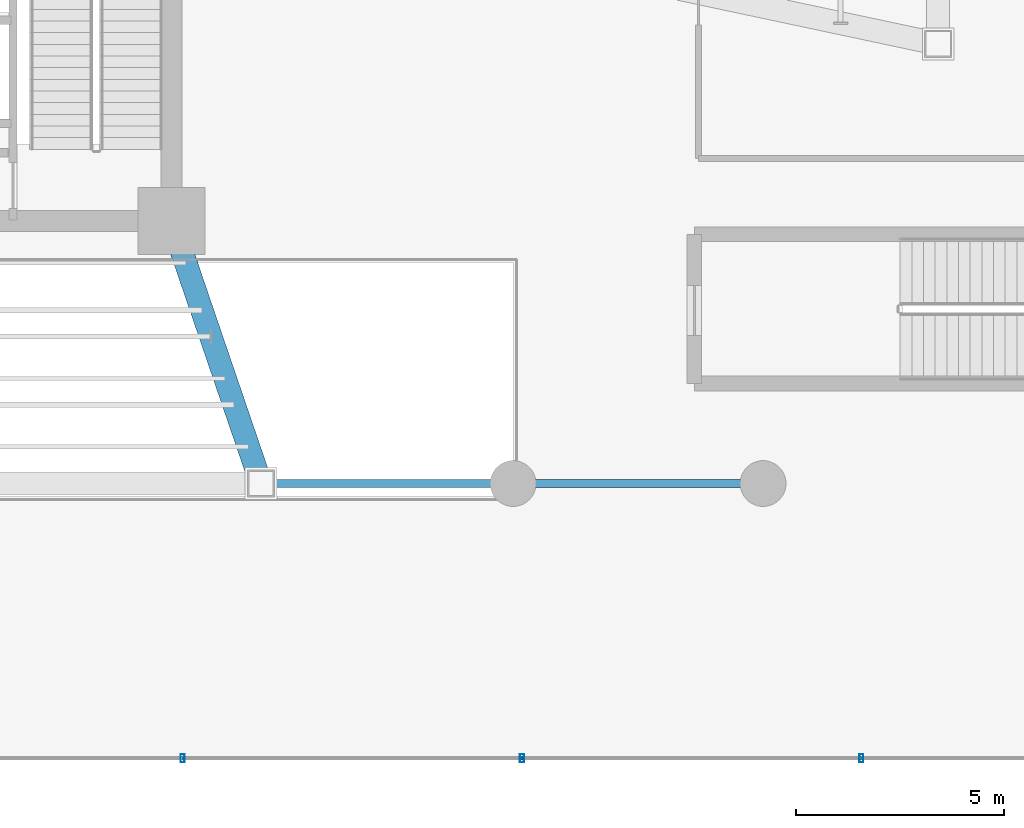
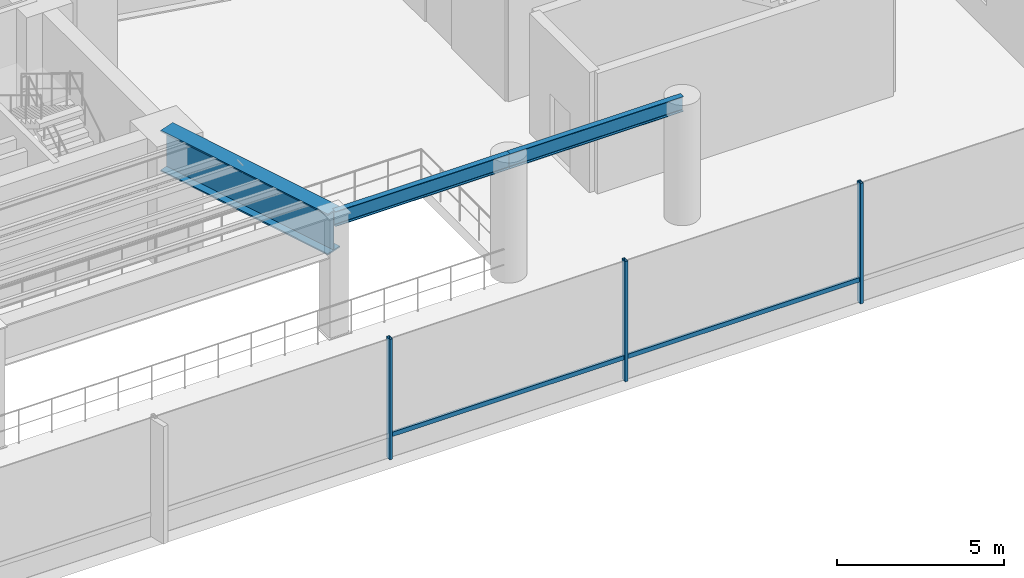
# One storey, part 5 of 22: 5 members, 3 beams, 1 element without a shape of its own.
"""IFC4 building model written with IfcOpenShell, lengths in metres."""

from ifc_helpers import new_model, si_unit, direction, frame, origin, origin_2d, place, context, subcontext, project, spatial, hollow_rectangle, i_section, extrude, source, transform, mapped, material, material_profile, profile_set, type_object, element, aggregate, save


model = new_model("IFC4")

# Units and contexts
model_context = context("Model", 3, precision=1e-05, world=origin(), true_north=direction((0.0, 1.0)))
body_context = subcontext(model_context, "Body", "Model", "MODEL_VIEW")
ifc_project = project(units=[si_unit("LENGTHUNIT", "METRE"), si_unit("AREAUNIT", "SQUARE_METRE"), si_unit("VOLUMEUNIT", "CUBIC_METRE"), si_unit("PLANEANGLEUNIT", "RADIAN"), si_unit("MASSUNIT", "GRAM", prefix="KILO")], contexts=[model_context])

# Site, building, storey
site_placement = place(None, origin())
site = spatial("IfcSite", under=ifc_project, at=site_placement, CompositionType="ELEMENT")
building_placement = place(site_placement, origin())
building = spatial("IfcBuilding", under=site, at=building_placement, Name="Sahyath Konkavel Grand Hotel", CompositionType="ELEMENT")
storey_placement = place(building_placement, frame((0.0, 0.0, 9.300048828125)))
storey = spatial("IfcBuildingStorey", under=building, at=storey_placement, Name="L02", CompositionType="ELEMENT", Elevation=9.300048828125)

# Beams
ifc_material_1 = material(Name="Steel E350", Category="steel")
ifc_material_profile_1 = material_profile(ifc_material_1, i_section(OverallWidth=0.18994140625, OverallDepth=0.550048828125, WebThickness=0.01123046875, FlangeThickness=0.019287109375, FilletRadius=0.01806640625, at=origin_2d()), Name="ISMB 550")
ifc_profile_set_1 = profile_set([ifc_material_profile_1], Name="Steel E350")
beam_type_1 = type_object("IfcBeamType", Name="BM-ISMB550", PredefinedType="BEAM", material=ifc_profile_set_1)
shared_shape_1 = source(origin(), body_context, "Body", "SweptSolid", [
    extrude(i_section(OverallWidth=0.18994140625, OverallDepth=0.550048828125, WebThickness=0.01123046875, FlangeThickness=0.019287109375, FilletRadius=0.01806640625, at=origin_2d()), origin(), (0.0, 0.0, 1.0), 6.0),
])
beam_1_placement = place(storey_placement, frame((12.0, -16.5, 4.125), z_axis=(1.0, 0.0, 0.0), x_axis=(0.0, 1.0, 0.0)))
element("IfcBeam", 1, at=beam_1_placement, inside=storey, type_object=beam_type_1, Name="str:bm:L02:POD-08", PredefinedType="BEAM", context=body_context, shape_type="MappedRepresentation", body=[
    mapped(shared_shape_1, transform((0.0, 0.0, 0.0), scale=1.0)),
])
shared_shape_2 = source(origin(), body_context, "Body", "SweptSolid", [
    extrude(i_section(OverallWidth=0.18994140625, OverallDepth=0.550048828125, WebThickness=0.01123046875, FlangeThickness=0.019287109375, FilletRadius=0.01806640625, at=origin_2d()), origin(), (0.0, 0.0, 1.0), 6.050048828125),
])
beam_2_placement = place(storey_placement, frame((5.949951171875, -16.5, 4.125), z_axis=(1.0, 0.0, 0.0), x_axis=(0.0, 1.0, 0.0)))
element("IfcBeam", 2, at=beam_2_placement, inside=storey, type_object=beam_type_1, Name="str:bm:L02:POD-07", PredefinedType="BEAM", context=body_context, shape_type="MappedRepresentation", body=[
    mapped(shared_shape_2, transform((0.0, 0.0, 0.0), scale=1.0)),
])
ifc_material_2 = material(Name="Steel E450", Category="steel")
ifc_material_profile_2 = material_profile(ifc_material_2, i_section(OverallWidth=0.550048828125, OverallDepth=1.5, WebThickness=0.028076171875, FlangeThickness=0.050048828125, at=origin_2d()), Name="BPG 1500x550")
ifc_profile_set_2 = profile_set([ifc_material_profile_2], Name="Steel E450")
beam_type_2 = type_object("IfcBeamType", Name="BM-BPG1500", PredefinedType="BEAM", material=ifc_profile_set_2)
shared_shape_3 = source(origin(), body_context, "Body", "SweptSolid", [
    extrude(i_section(OverallWidth=0.550048828125, OverallDepth=1.5, WebThickness=0.028076171875, FlangeThickness=0.050048828125, at=origin_2d()), origin(), (0.0, 0.0, 1.0), 6.65673828125),
])
beam_3_placement = place(storey_placement, frame((3.800048828125, -10.199951171875, 3.64990234375), z_axis=(0.322964397437, -0.946411114679, 0.0), x_axis=(0.946411114679, 0.322964397437, 0.0)))
element("IfcBeam", 3, at=beam_3_placement, inside=storey, type_object=beam_type_2, Name="L02 Ballroom E450 Transfer Truss Chord SB", PredefinedType="BEAM", context=body_context, shape_type="MappedRepresentation", body=[
    mapped(shared_shape_3, transform((0.0, 0.0, 0.0), scale=1.0)),
])

# Curtain wall, members
ifc_material_3 = material(Name="Anodised Bronze Aluminium & Low-E Glazing", Category="aluminium")
curtain_wall_type = type_object("IfcCurtainWallType", Name="CW-PODIUM", PredefinedType="NOTDEFINED", material=ifc_material_3)
curtain_wall_placement = place(storey_placement, origin())
curtain_wall = element("IfcCurtainWall", 4, at=curtain_wall_placement, inside=storey, type_object=curtain_wall_type, Name="L02 Unitised Curtain Wall S", PredefinedType="NOTDEFINED")
ifc_material_4 = material(Name="Anodised Bronze Aluminium", Category="aluminium")
ifc_material_profile_3 = material_profile(ifc_material_4, hollow_rectangle(XDim=0.10009765625, YDim=0.199951171875, WallThickness=0.008056640625, at=origin_2d()), Name="RHS 200x100x8")
ifc_profile_set_3 = profile_set([ifc_material_profile_3], Name="Anodised Bronze Aluminium")
member_type_1 = type_object("IfcMemberType", Name="CW-MUL-200", PredefinedType="MULLION", material=ifc_profile_set_3)
shared_shape_4 = source(origin(), body_context, "Body", "SweptSolid", [
    extrude(hollow_rectangle(XDim=0.10009765625, YDim=0.199951171875, WallThickness=0.008056640625, at=origin_2d()), origin(), (0.0, 0.0, 1.0), 4.39990234375),
])
member_1_placement = place(storey_placement, frame((4.071533203125, -23.092041015625, 0.0), z_axis=(0.0, 0.0, 1.0), x_axis=(1.0, 0.0, 0.0)))
member_1 = element("IfcMember", 5, at=member_1_placement, type_object=member_type_1, Name="L02 Curtain Wall Mullion S-4", PredefinedType="MULLION", context=body_context, shape_type="MappedRepresentation", body=[
    mapped(shared_shape_4, transform((0.0, 0.0, 0.0), scale=1.0)),
])
member_2_placement = place(storey_placement, frame((12.214599609375, -23.092041015625, 0.0), z_axis=(0.0, 0.0, 1.0), x_axis=(1.0, 0.0, 0.0)))
member_2 = element("IfcMember", 6, at=member_2_placement, type_object=member_type_1, Name="L02 Curtain Wall Mullion S-5", PredefinedType="MULLION", context=body_context, shape_type="MappedRepresentation", body=[
    mapped(shared_shape_4, transform((0.0, 0.0, 0.0), scale=1.0)),
])
member_3_placement = place(storey_placement, frame((20.35791015625, -23.092041015625, 0.0), z_axis=(0.0, 0.0, 1.0), x_axis=(1.0, 0.0, 0.0)))
member_3 = element("IfcMember", 7, at=member_3_placement, type_object=member_type_1, Name="L02 Curtain Wall Mullion S-6", PredefinedType="MULLION", context=body_context, shape_type="MappedRepresentation", body=[
    mapped(shared_shape_4, transform((0.0, 0.0, 0.0), scale=1.0)),
])
ifc_material_profile_4 = material_profile(ifc_material_4, hollow_rectangle(XDim=0.080078125, YDim=0.159912109375, WallThickness=0.006103515625, at=origin_2d()), Name="RHS 160x80x6")
ifc_profile_set_4 = profile_set([ifc_material_profile_4], Name="Anodised Bronze Aluminium")
member_type_2 = type_object("IfcMemberType", Name="CW-TRN-160", PredefinedType="USERDEFINED", material=ifc_profile_set_4)
shared_shape_5 = source(origin(), body_context, "Body", "SweptSolid", [
    extrude(hollow_rectangle(XDim=0.080078125, YDim=0.159912109375, WallThickness=0.006103515625, at=origin_2d()), origin(), (0.0, 0.0, 1.0), 8.14306640625),
])
member_4_placement = place(storey_placement, frame((4.071533203125, -23.092041015625, 0.849853515625), z_axis=(1.0, 0.0, 0.0), x_axis=(0.0, 1.0, 0.0)))
member_4 = element("IfcMember", 8, at=member_4_placement, type_object=member_type_2, Name="L02 Curtain Wall Transom S-4-spandrel", ObjectType="TRANSOM", PredefinedType="USERDEFINED", context=body_context, shape_type="MappedRepresentation", body=[
    mapped(shared_shape_5, transform((0.0, 0.0, 0.0), scale=1.0)),
])
shared_shape_6 = source(origin(), body_context, "Body", "SweptSolid", [
    extrude(hollow_rectangle(XDim=0.080078125, YDim=0.159912109375, WallThickness=0.006103515625, at=origin_2d()), origin(), (0.0, 0.0, 1.0), 8.143310546875),
])
member_5_placement = place(storey_placement, frame((12.214599609375, -23.092041015625, 0.849853515625), z_axis=(1.0, 0.0, 0.0), x_axis=(0.0, 1.0, 0.0)))
member_5 = element("IfcMember", 9, at=member_5_placement, type_object=member_type_2, Name="L02 Curtain Wall Transom S-5-spandrel", ObjectType="TRANSOM", PredefinedType="USERDEFINED", context=body_context, shape_type="MappedRepresentation", body=[
    mapped(shared_shape_6, transform((0.0, 0.0, 0.0), scale=1.0)),
])
aggregate(curtain_wall, [member_1, member_2, member_3, member_4, member_5])

save(model, "model.ifc")
